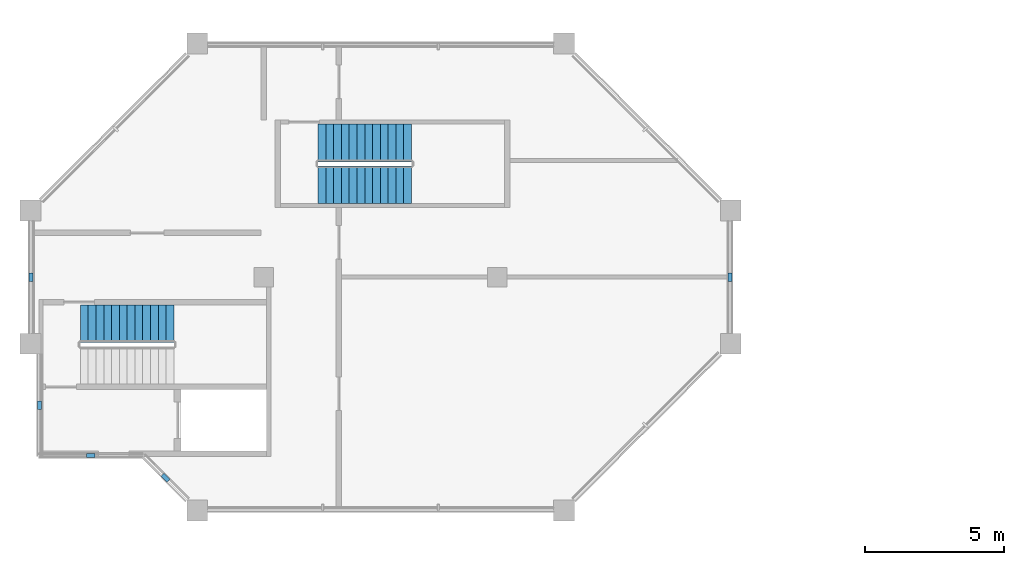
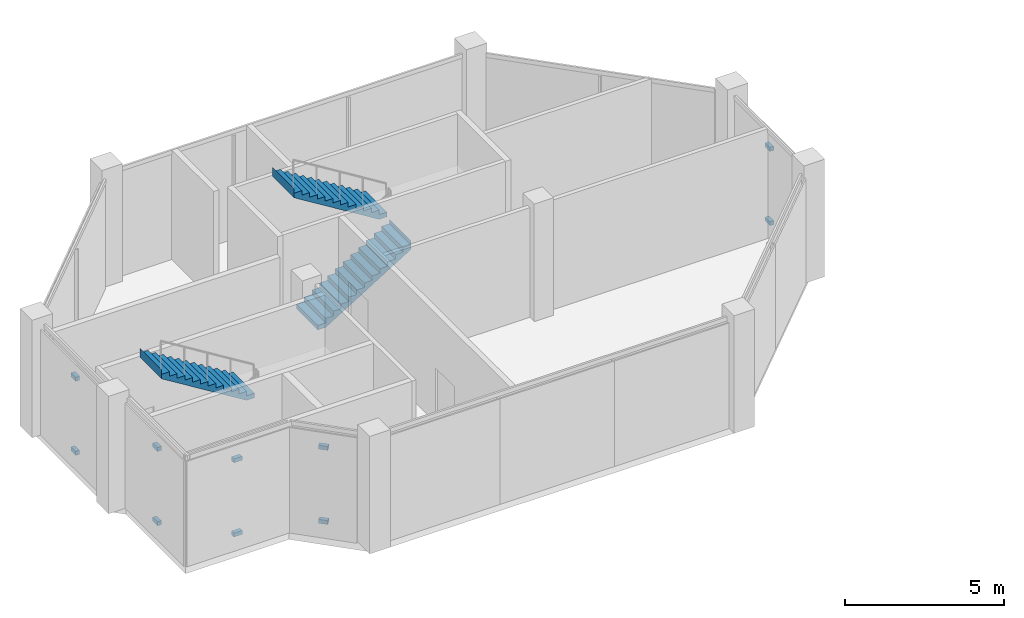
# One storey, part 7 of 9: 10 discrete accessories, 3 stair flights, 2 elements without a shape of their own.
"""IFC4 building model written with IfcOpenShell, lengths in metres."""

import ifcopenshell
import ifcopenshell.guid

model = None  # the IFC model being written
_history = None  # IfcOwnerHistory: only IFC2X3 demands one
_inside = {}  # id of a spatial element -> (the spatial element, [elements in it])
_under = {}  # id of a project, library or spatial element -> (it, [spatial elements below it])
_declared = {}  # id of a project -> (the project, [libraries it declares])
_typed = {}  # id of a type object -> (the type object, [elements of that type])
_made_of = {}  # id of a material, layer set ... -> (it, [elements and type objects made of it])


def new_model(schema):
    """Start an empty IFC model of exactly this schema.

    Asked for "IFC4X3", IfcOpenShell would pick the latest addendum, in which some entities
    have other attributes; the version numbers below select the first issue.
    IFC2X3 requires an IfcOwnerHistory on every rooted entity: one is made here for all.
    """
    global model, _history
    if schema == "IFC4X3":
        model = ifcopenshell.file(schema_version=(4, 3, 0, 0))
    else:
        model = ifcopenshell.file(schema=schema)
    _inside.clear()
    _under.clear()
    _declared.clear()
    _typed.clear()
    _made_of.clear()
    _history = None
    if model.schema == "IFC2X3":
        org = make("IfcOrganization", Name="unknown")
        user = make(
            "IfcPersonAndOrganization",
            ThePerson=make("IfcPerson", FamilyName="unknown"),
            TheOrganization=org,
        )
        app = make(
            "IfcApplication",
            ApplicationDeveloper=org,
            Version="unknown",
            ApplicationFullName="unknown",
            ApplicationIdentifier="unknown",
        )
        _history = make(
            "IfcOwnerHistory",
            OwningUser=user,
            OwningApplication=app,
            ChangeAction="ADDED",
            CreationDate=0,
        )
    return model


def make(cls, **values):
    """One entity of the class cls with the attributes given. An attribute that is None is left unset."""
    return model.create_entity(
        cls, **{name: value for name, value in values.items() if value is not None}
    )


def rooted(cls, **values):
    """An entity with a GlobalId (a new one), such as an element, a storey or a relation."""
    return make(cls, GlobalId=ifcopenshell.guid.new(), OwnerHistory=_history, **values)


def si_unit(unit_type, name, prefix=None):
    """IfcSIUnit, for example si_unit("LENGTHUNIT", "METRE", prefix="MILLI")."""
    return make("IfcSIUnit", UnitType=unit_type, Prefix=prefix, Name=name)


def assignment(units):
    """IfcUnitAssignment: the units of a project."""
    return None if units is None else make("IfcUnitAssignment", Units=units)


def point(xyz):
    """IfcCartesianPoint."""
    return None if xyz is None else make("IfcCartesianPoint", Coordinates=xyz)


def direction(xyz):
    """IfcDirection."""
    return None if xyz is None else make("IfcDirection", DirectionRatios=xyz)


def frame(location, z_axis=None, x_axis=None):
    """IfcAxis2Placement3D, a coordinate frame: its origin and axes. An axis left out is left unset."""
    return make(
        "IfcAxis2Placement3D",
        Location=point(location),
        Axis=direction(z_axis),
        RefDirection=direction(x_axis),
    )


def frame_2d(location, x_axis=None):
    """IfcAxis2Placement2D, a coordinate frame in the plane: its origin and x axis."""
    return make(
        "IfcAxis2Placement2D", Location=point(location), RefDirection=direction(x_axis)
    )


def origin():
    """The frame at (0, 0, 0) with its axes left unset."""
    return frame((0.0, 0.0, 0.0))


def origin_2d():
    """The frame at (0, 0) in the plane with its x axis left unset."""
    return frame_2d((0.0, 0.0))


def place(relative_to, where):
    """IfcLocalPlacement: puts the frame where relative to a parent placement (None: the world)."""
    return make(
        "IfcLocalPlacement", PlacementRelTo=relative_to, RelativePlacement=where
    )


def context(
    kind, dimensions, precision=None, world=None, true_north=None, identifier=None
):
    """IfcGeometricRepresentationContext, for example the 3D "Model" context."""
    return make(
        "IfcGeometricRepresentationContext",
        ContextIdentifier=identifier,
        ContextType=kind,
        CoordinateSpaceDimension=dimensions,
        Precision=precision,
        WorldCoordinateSystem=world,
        TrueNorth=true_north,
    )


def subcontext(parent, identifier, kind, view, scale=None):
    """IfcGeometricRepresentationSubContext, for example "Body" below "Model"."""
    return make(
        "IfcGeometricRepresentationSubContext",
        ContextIdentifier=identifier,
        ContextType=kind,
        ParentContext=parent,
        TargetScale=scale,
        TargetView=view,
    )


def project(units=None, contexts=None):
    """IfcProject with its units and contexts."""
    return rooted(
        "IfcProject",
        Name="project",
        RepresentationContexts=contexts,
        UnitsInContext=assignment(units),
    )


def spatial(cls, under=None, at=None, **own):
    """A site, building, storey or space (cls), placed at a placement, below another one or the project."""
    s = rooted(cls, ObjectPlacement=at, **own)
    if under is not None:
        _under.setdefault(under.id(), (under, []))[1].append(s)
    return s


def polyline(points):
    """IfcPolyline through the points."""
    return make("IfcPolyline", Points=[point(p) for p in points])


def profile(cls, at=None, kind="AREA", **sizes):
    """A parametric profile (cls). Its sizes go by their IFC names, for example OverallWidth=200.0."""
    return make(cls, ProfileType=kind, Position=at, **sizes)


def rectangle(**sizes):
    """IfcRectangleProfileDef."""
    return profile("IfcRectangleProfileDef", **sizes)


def outline(outer, holes=None, kind="AREA"):
    """IfcArbitraryClosedProfileDef: a profile drawn as a closed curve; with holes, ...WithVoids."""
    if holes is None:
        return make("IfcArbitraryClosedProfileDef", ProfileType=kind, OuterCurve=outer)
    return make(
        "IfcArbitraryProfileDefWithVoids",
        ProfileType=kind,
        OuterCurve=outer,
        InnerCurves=holes,
    )


def extrude(swept, where, along, depth):
    """IfcExtrudedAreaSolid: the profile swept, set in the frame where, extruded along a direction by depth."""
    return make(
        "IfcExtrudedAreaSolid",
        SweptArea=swept,
        Position=where,
        ExtrudedDirection=direction(along),
        Depth=depth,
    )


def shape(context_of_items, identifier, shape_type, items):
    """IfcShapeRepresentation: the items that make up one representation, for example the "Body"."""
    return make(
        "IfcShapeRepresentation",
        ContextOfItems=context_of_items,
        RepresentationIdentifier=identifier,
        RepresentationType=shape_type,
        Items=items,
    )


def material(Name=None, Category=None):
    """IfcMaterial."""
    return make("IfcMaterial", Name=Name, Category=Category)


def made_of(thing, what):
    """Note that an element or type object is made of a material, layer set ...; save() writes the relation."""
    if what is not None:
        _made_of.setdefault(what.id(), (what, []))[1].append(thing)
    return thing


def type_object(cls, material=None, **own):
    """A type object (cls), such as IfcWallType, which elements share."""
    return made_of(rooted(cls, **own), material)


def element(
    cls,
    number,
    at=None,
    inside=None,
    cuts=None,
    type_object=None,
    material=None,
    context=None,
    identifier="Body",
    shape_type=None,
    held_by="IfcProductDefinitionShape",
    body=None,
    shapes=None,
    **own,
):
    """One element of the class cls, such as IfcWall. Its Tag is "e" and its number.

    at: its placement. inside: the storey or other place that contains it. cuts: it is an
    opening in that element (IfcRelVoidsElement). A single representation is given by context,
    identifier, shape_type and body (its items); several are given by shapes. held_by: the class
    of the entity that holds the representations. save() writes the other relations.
    """
    e = rooted(cls, Tag="e%d" % number, ObjectPlacement=at, **own)
    if body is not None:
        shapes = [shape(context, identifier, shape_type, body)]
    if shapes is not None:
        e.Representation = make(held_by, Representations=shapes)
    if inside is not None:
        _inside.setdefault(inside.id(), (inside, []))[1].append(e)
    if cuts is not None:
        rooted(
            "IfcRelVoidsElement", RelatingBuildingElement=cuts, RelatedOpeningElement=e
        )
    if type_object is not None:
        _typed.setdefault(type_object.id(), (type_object, []))[1].append(e)
    return made_of(e, material)


def aggregate(whole, parts):
    """IfcRelAggregates: a whole, such as a stair, and the parts it consists of."""
    return rooted("IfcRelAggregates", RelatingObject=whole, RelatedObjects=parts)


def save(model, path):
    """Write the relations noted so far, then the file.

    IfcRelAggregates (storeys below a building ...), IfcRelContainedInSpatialStructure (elements
    in a storey), IfcRelDefinesByType, IfcRelAssociatesMaterial and IfcRelDeclares: one each for
    every whole, place, type object, material and project.
    """
    for whole, parts in _under.values():
        aggregate(whole, parts)
    for where, things in _inside.values():
        rooted(
            "IfcRelContainedInSpatialStructure",
            RelatedElements=things,
            RelatingStructure=where,
        )
    for kind, things in _typed.values():
        rooted("IfcRelDefinesByType", RelatedObjects=things, RelatingType=kind)
    for what, things in _made_of.values():
        rooted("IfcRelAssociatesMaterial", RelatedObjects=things, RelatingMaterial=what)
    for by, libraries in _declared.values():
        rooted("IfcRelDeclares", RelatingContext=by, RelatedDefinitions=libraries)
    model.write(path)


model = new_model("IFC4")

# Units and contexts
model_context = context("Model", 3, precision=1e-05, world=origin(), true_north=direction((0.0, 1.0)))
body_context = subcontext(model_context, "Body", "Model", "MODEL_VIEW")
ifc_project = project(units=[si_unit("LENGTHUNIT", "METRE"), si_unit("AREAUNIT", "SQUARE_METRE"), si_unit("VOLUMEUNIT", "CUBIC_METRE"), si_unit("PLANEANGLEUNIT", "RADIAN"), si_unit("MASSUNIT", "GRAM", prefix="KILO")], contexts=[model_context])

# Site, building, storey
site_placement = place(None, origin())
site = spatial("IfcSite", under=ifc_project, at=site_placement, CompositionType="ELEMENT")
building_placement = place(site_placement, origin())
building = spatial("IfcBuilding", under=site, at=building_placement, Name="Kawkab Arch Medical Tower", CompositionType="ELEMENT")
storey_placement = place(building_placement, frame((0.0, 0.0, 350.199951171875)))
storey = spatial("IfcBuildingStorey", under=building, at=storey_placement, Name="L81", CompositionType="ELEMENT", Elevation=350.199951171875)

# Stair, stair flight
ifc_material_1 = material(Name="Concrete C40/50", Category="concrete")
stair_type = type_object("IfcStairType", Name="Exit stair 1350", PredefinedType="HALF_TURN_STAIR", material=ifc_material_1)
placement = place(storey_placement, origin())
stair_1 = element("IfcStair", 1, at=placement, inside=storey, type_object=stair_type, Name="L81 Exit stair ST6", PredefinedType="HALF_TURN_STAIR")
ifc_material_2 = material(Name="Concrete C40/50", Category="concrete")
stair_flight_type = type_object("IfcStairFlightType", Name="Exit stair flight 1350", PredefinedType="STRAIGHT", material=ifc_material_2)
stair_flight_1_placement = place(storey_placement, frame((5.159912109375, -35.27490234375, 2.25), z_axis=(0.0, 0.0, 1.0), x_axis=(-1.0, 0.0, 0.0)))
stair_flight_1 = element("IfcStairFlight", 2, at=stair_flight_1_placement, type_object=stair_flight_type, Name="ST6 flight 2", NumberOfRisers=13, NumberOfTreads=12, PredefinedType="STRAIGHT", RiserHeight=0.173076923, TreadLength=0.28, context=body_context, shape_type="SweptSolid", body=[
    extrude(outline(polyline([(-0.0029296875, 0.0), (-0.0029296875, 0.173095703125), (0.0, 0.173095703125), (0.280029296875, 0.173095703125), (0.280029296875, 0.34619140625), (0.56005859375, 0.34619140625), (0.56005859375, 0.519287109375), (0.840087890625, 0.519287109375), (0.840087890625, 0.6923828125), (1.1201171875, 0.6923828125), (1.1201171875, 0.865478515625), (1.39990234375, 0.865478515625), (1.39990234375, 1.03857421875), (1.679931640625, 1.03857421875), (1.679931640625, 1.21142578125), (1.9599609375, 1.21142578125), (1.9599609375, 1.384521484375), (2.239990234375, 1.384521484375), (2.239990234375, 1.5576171875), (2.52001953125, 1.5576171875), (2.52001953125, 1.730712890625), (2.800048828125, 1.730712890625), (2.800048828125, 1.90380859375), (3.080078125, 1.90380859375), (3.080078125, 2.076904296875), (3.360107421875, 2.076904296875), (3.360107421875, 2.25), (3.363037109375, 2.25), (3.363037109375, 1.900634765625), (3.360107421875, 1.900634765625), (0.28515625, 0.0), (-0.0029296875, 0.0)])), frame((0.0, 0.675048828125, 0.0), z_axis=(0.0, -1.0, 0.0), x_axis=(1.0, 0.0, 0.0)), (0.0, 0.0, 1.0), 1.35009765625),
])
aggregate(stair_1, [stair_flight_1])

# Stair, stair flights
stair_2 = element("IfcStair", 3, at=placement, inside=storey, type_object=stair_type, Name="L81 Exit stair ST9", PredefinedType="HALF_TURN_STAIR")
stair_flight_2_placement = place(storey_placement, frame((10.35009765625, -30.27490234375, 0.0), z_axis=(0.0, 0.0, 1.0), x_axis=(1.0, 0.0, 0.0)))
stair_flight_2 = element("IfcStairFlight", 4, at=stair_flight_2_placement, type_object=stair_flight_type, Name="ST9 flight 1", NumberOfRisers=13, NumberOfTreads=12, PredefinedType="STRAIGHT", RiserHeight=0.173076923, TreadLength=0.28, context=body_context, shape_type="SweptSolid", body=[
    extrude(outline(polyline([(-0.0029296875, 0.0), (-0.0029296875, 0.173095703125), (0.0, 0.173095703125), (0.280029296875, 0.173095703125), (0.280029296875, 0.34619140625), (0.56005859375, 0.34619140625), (0.56005859375, 0.519287109375), (0.840087890625, 0.519287109375), (0.840087890625, 0.6923828125), (1.1201171875, 0.6923828125), (1.1201171875, 0.865478515625), (1.39990234375, 0.865478515625), (1.39990234375, 1.03857421875), (1.679931640625, 1.03857421875), (1.679931640625, 1.21142578125), (1.9599609375, 1.21142578125), (1.9599609375, 1.384521484375), (2.239990234375, 1.384521484375), (2.239990234375, 1.5576171875), (2.52001953125, 1.5576171875), (2.52001953125, 1.730712890625), (2.800048828125, 1.730712890625), (2.800048828125, 1.90380859375), (3.080078125, 1.90380859375), (3.080078125, 2.076904296875), (3.360107421875, 2.076904296875), (3.360107421875, 2.25), (3.363037109375, 2.25), (3.363037109375, 1.900634765625), (3.360107421875, 1.900634765625), (0.28515625, 0.0), (-0.0029296875, 0.0)])), frame((0.0, 0.675048828125, 0.0), z_axis=(0.0, -1.0, 0.0), x_axis=(1.0, 0.0, 0.0)), (0.0, 0.0, 1.0), 1.35009765625),
])
stair_flight_3_placement = place(storey_placement, frame((13.7099609375, -28.77490234375, 2.25), z_axis=(0.0, 0.0, 1.0), x_axis=(-1.0, 0.0, 0.0)))
stair_flight_3 = element("IfcStairFlight", 5, at=stair_flight_3_placement, type_object=stair_flight_type, Name="ST9 flight 2", NumberOfRisers=13, NumberOfTreads=12, PredefinedType="STRAIGHT", RiserHeight=0.173076923, TreadLength=0.28, context=body_context, shape_type="SweptSolid", body=[
    extrude(outline(polyline([(-0.0029296875, 0.0), (-0.0029296875, 0.173095703125), (0.0, 0.173095703125), (0.280029296875, 0.173095703125), (0.280029296875, 0.34619140625), (0.56005859375, 0.34619140625), (0.56005859375, 0.519287109375), (0.840087890625, 0.519287109375), (0.840087890625, 0.6923828125), (1.1201171875, 0.6923828125), (1.1201171875, 0.865478515625), (1.39990234375, 0.865478515625), (1.39990234375, 1.03857421875), (1.679931640625, 1.03857421875), (1.679931640625, 1.21142578125), (1.9599609375, 1.21142578125), (1.9599609375, 1.384521484375), (2.239990234375, 1.384521484375), (2.239990234375, 1.5576171875), (2.52001953125, 1.5576171875), (2.52001953125, 1.730712890625), (2.800048828125, 1.730712890625), (2.800048828125, 1.90380859375), (3.080078125, 1.90380859375), (3.080078125, 2.076904296875), (3.360107421875, 2.076904296875), (3.360107421875, 2.25), (3.363037109375, 2.25), (3.363037109375, 1.900634765625), (3.360107421875, 1.900634765625), (0.28515625, 0.0), (-0.0029296875, 0.0)])), frame((0.0, 0.675048828125, 0.0), z_axis=(0.0, -1.0, 0.0), x_axis=(1.0, 0.0, 0.0)), (0.0, 0.0, 1.0), 1.35009765625),
])
aggregate(stair_2, [stair_flight_2, stair_flight_3])

# Discrete accessories
ifc_material_3 = material(Name="Galvanised steel screen bracket", Category="steel")
discrete_accessory_type = type_object("IfcDiscreteAccessoryType", Name="Screen bracket 300 x 150", PredefinedType="BRACKET", material=ifc_material_3)
for number, where, z_axis, x_axis, name in (
    (6, (0.027587890625, -33.60009765625, 0.525146484375), (0.0, 0.0, 1.0), (0.0, -1.0, 0.0), "Screen bracket L81 R12.1.1.1"),
    (7, (0.027587890625, -33.60009765625, 3.364990234375), (0.0, 0.0, 1.0), (0.0, -1.0, 0.0), "Screen bracket L81 R12.1.1.2"),
    (8, (0.327392578125, -38.21240234375, 0.525146484375), (0.0, 0.0, 1.0), (0.0, -1.0, 0.0), "Screen bracket L81 R14.1.1.1"),
    (9, (0.327392578125, -38.21240234375, 3.364990234375), (0.0, 0.0, 1.0), (0.0, -1.0, 0.0), "Screen bracket L81 R14.1.1.2"),
    (10, (2.175048828125, -40.0224609375, 0.525146484375), (0.0, 0.0, 1.0), (1.0, 0.0, 0.0), "Screen bracket L81 R15.1.1.1"),
    (11, (2.175048828125, -40.0224609375, 3.364990234375), (0.0, 0.0, 1.0), (1.0, 0.0, 0.0), "Screen bracket L81 R15.1.1.2"),
    (12, (4.85693359375, -40.818115234375, 0.525146484375), (0.0, 0.0, 1.0), (0.707106781187, -0.707106781187, 0.0), "Screen bracket L81 R16.1.1.1"),
    (13, (4.85693359375, -40.818115234375, 3.364990234375), (0.0, 0.0, 1.0), (0.707106781187, -0.707106781187, 0.0), "Screen bracket L81 R16.1.1.2"),
    (14, (25.172607421875, -33.60009765625, 0.525146484375), (0.0, 0.0, 1.0), (0.0, 1.0, 0.0), "Screen bracket L81 R19.1.1.1"),
    (15, (25.172607421875, -33.60009765625, 3.364990234375), (0.0, 0.0, 1.0), (0.0, 1.0, 0.0), "Screen bracket L81 R19.1.1.2"),
):
    element("IfcDiscreteAccessory", number, at=place(storey_placement, frame(where, z_axis=z_axis, x_axis=x_axis)), inside=storey, type_object=discrete_accessory_type, Name=name, PredefinedType="BRACKET", context=body_context, shape_type="SweptSolid", body=[
        extrude(rectangle(XDim=0.300048828125, YDim=0.14501953125, at=origin_2d()), origin(), (0.0, 0.0, 1.0), 0.14990234375),
    ])

save(model, "model.ifc")
